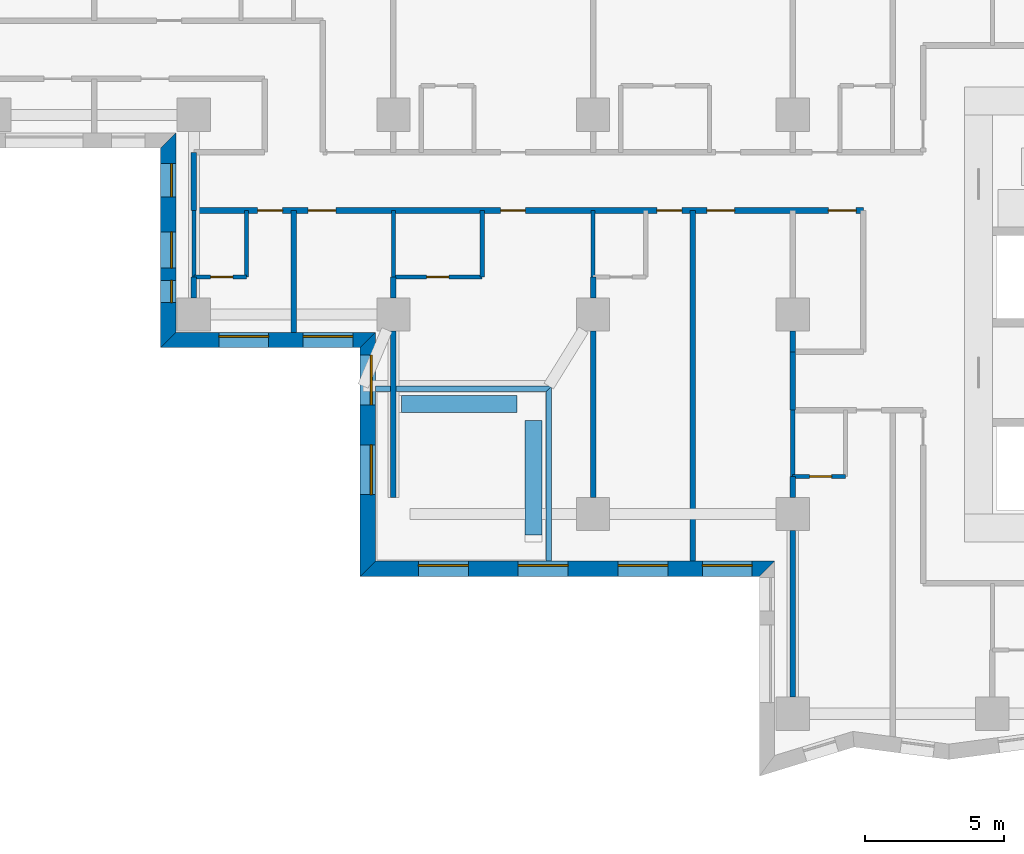
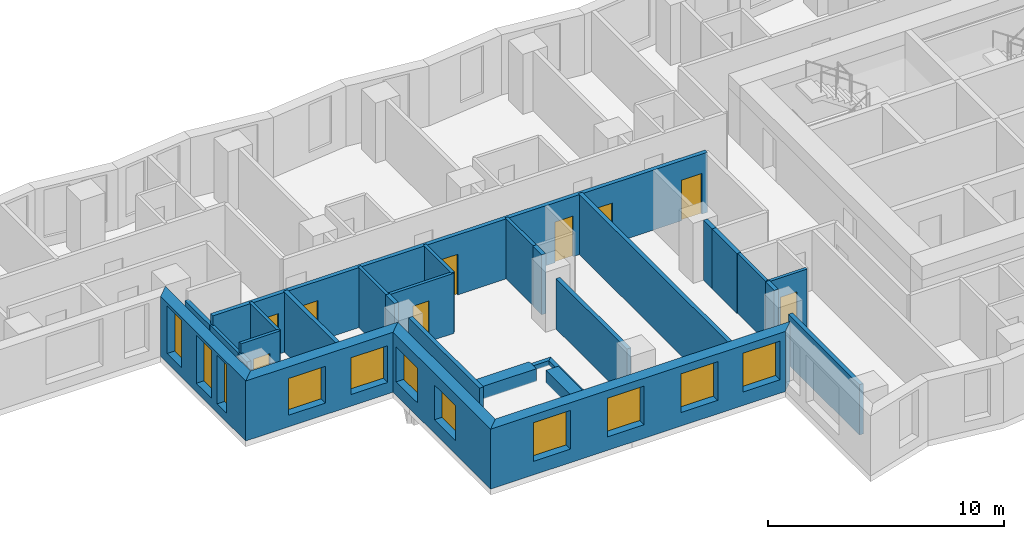
# One storey, part 3 of 14: 30 walls, 11 windows, 9 doors, 20 openings.
"""IFC4 building model written with IfcOpenShell, lengths in metres."""

from ifc_helpers import new_model, si_unit, direction, frame, frame_2d, origin, place, context, subcontext, project, spatial, polyline, rectangle, outline, extrude, material, layer, layer_set, type_object, element, fill, save


model = new_model("IFC4")

# Units and contexts
model_context = context("Model", 3, precision=1e-05, world=origin(), true_north=direction((0.0, 1.0)))
body_context = subcontext(model_context, "Body", "Model", "MODEL_VIEW")
ifc_project = project(units=[si_unit("LENGTHUNIT", "METRE"), si_unit("AREAUNIT", "SQUARE_METRE"), si_unit("VOLUMEUNIT", "CUBIC_METRE"), si_unit("PLANEANGLEUNIT", "RADIAN"), si_unit("MASSUNIT", "GRAM", prefix="KILO")], contexts=[model_context])

# Site, building, storey
site_placement = place(None, origin())
site = spatial("IfcSite", under=ifc_project, at=site_placement, CompositionType="ELEMENT")
building_placement = place(site_placement, origin())
building = spatial("IfcBuilding", under=site, at=building_placement, Name="Windrow Commons", CompositionType="ELEMENT")
storey_placement = place(building_placement, frame((0.0, 0.0, 44.0)))
storey = spatial("IfcBuildingStorey", under=building, at=storey_placement, Name="L11", CompositionType="ELEMENT", Elevation=44.0)

# Wall, openings, windows
ifc_material_1 = material(Name="Brick masonry, red clay brick", Category="masonry")
ifc_layer_1 = layer(ifc_material_1, 0.55)
ifc_layer_set_1 = layer_set([ifc_layer_1], Name="Brick facade wall 550")
wall_type_1 = type_object("IfcWallType", Name="Brick facade wall 550", PredefinedType="SOLIDWALL", material=ifc_layer_set_1)
wall_1_placement = place(storey_placement, frame((27.875, 63.875, 0.0), z_axis=(0.0, 0.0, 1.0), x_axis=(0.0, -1.0, 0.0)))
wall_1 = element("IfcWall", 1, at=wall_1_placement, inside=storey, type_object=wall_type_1, Name="Brick facade wall L11 41", PredefinedType="SOLIDWALL", context=body_context, shape_type="SweptSolid", body=[
    extrude(outline(polyline([(0.275, -0.275), (7.475, -0.275), (6.925, 0.275), (-0.275, 0.275), (0.275, -0.275)])), origin(), (0.0, 0.0, 1.0), 3.1),
])
opening_1_placement = place(wall_1_placement, frame((0.8375, 0.0, 0.5)))
opening_1 = element("IfcOpeningElement", 2, at=opening_1_placement, cuts=wall_1, Name="Opening W7D", PredefinedType="OPENING", context=body_context, shape_type="SweptSolid", body=[
    extrude(rectangle(XDim=1.2, YDim=2.45, at=frame_2d((0.6, 1.225))), frame((0.0, 0.285, 0.0), z_axis=(0.0, -1.0, 0.0), x_axis=(1.0, 0.0, 0.0)), (0.0, 0.0, 1.0), 0.57),
])
opening_2_placement = place(wall_1_placement, frame((3.3, 0.0, 0.45)))
opening_2 = element("IfcOpeningElement", 3, at=opening_2_placement, cuts=wall_1, Name="Opening W1Q", PredefinedType="OPENING", context=body_context, shape_type="SweptSolid", body=[
    extrude(rectangle(XDim=1.3, YDim=2.5, at=frame_2d((0.65, 1.25))), frame((0.0, 0.285, 0.0), z_axis=(0.0, -1.0, 0.0), x_axis=(1.0, 0.0, 0.0)), (0.0, 0.0, 1.0), 0.57),
])
opening_3_placement = place(wall_1_placement, frame((5.05, 0.0, 0.45)))
opening_3 = element("IfcOpeningElement", 4, at=opening_3_placement, cuts=wall_1, Name="Opening W1N", PredefinedType="OPENING", context=body_context, shape_type="SweptSolid", body=[
    extrude(rectangle(XDim=0.8, YDim=2.5, at=frame_2d((0.4, 1.25))), frame((0.0, 0.285, 0.0), z_axis=(0.0, -1.0, 0.0), x_axis=(1.0, 0.0, 0.0)), (0.0, 0.0, 1.0), 0.57),
])
ifc_material_2 = material(Name="Clear float glass in anodised aluminium frame", Category="aluminium")
window_type_1 = type_object("IfcWindowType", Name="Window W1N slit 800x2500", PartitioningType="SINGLE_PANEL", PredefinedType="WINDOW", material=ifc_material_2)
window_1_placement = place(opening_3_placement, origin())
window_1 = element("IfcWindow", 5, at=window_1_placement, inside=storey, type_object=window_type_1, Name="Window L11 41.1B", OverallHeight=2.5, OverallWidth=0.8, PartitioningType="SINGLE_PANEL", PredefinedType="WINDOW", context=body_context, shape_type="SweptSolid", body=[
    extrude(rectangle(XDim=0.8, YDim=2.5, at=frame_2d((0.4, 1.25))), frame((0.0, 0.155, 0.0), z_axis=(0.0, -1.0, 0.0), x_axis=(1.0, 0.0, 0.0)), (0.0, 0.0, 1.0), 0.06),
])
fill(opening_3, window_1)
ifc_material_3 = material(Name="Clear float glass in anodised aluminium frame", Category="aluminium")
window_type_2 = type_object("IfcWindowType", Name="Window W1Q pair 1300x2500", PartitioningType="SINGLE_PANEL", PredefinedType="WINDOW", material=ifc_material_3)
window_2_placement = place(opening_2_placement, origin())
window_2 = element("IfcWindow", 6, at=window_2_placement, inside=storey, type_object=window_type_2, Name="Window L11 41.1A", OverallHeight=2.5, OverallWidth=1.3, PartitioningType="SINGLE_PANEL", PredefinedType="WINDOW", context=body_context, shape_type="SweptSolid", body=[
    extrude(rectangle(XDim=1.3, YDim=2.5, at=frame_2d((0.65, 1.25))), frame((0.0, 0.155, 0.0), z_axis=(0.0, -1.0, 0.0), x_axis=(1.0, 0.0, 0.0)), (0.0, 0.0, 1.0), 0.06),
])
fill(opening_2, window_2)
ifc_material_4 = material(Name="Clear float glass in anodised aluminium frame", Category="aluminium")
window_type_3 = type_object("IfcWindowType", Name="Window W7 notch 1200x2450", PartitioningType="SINGLE_PANEL", PredefinedType="WINDOW", material=ifc_material_4)
window_3_placement = place(opening_1_placement, origin())
window_3 = element("IfcWindow", 7, at=window_3_placement, inside=storey, type_object=window_type_3, Name="Window L11 41.2", OverallHeight=2.45, OverallWidth=1.2, PartitioningType="SINGLE_PANEL", PredefinedType="WINDOW", context=body_context, shape_type="SweptSolid", body=[
    extrude(rectangle(XDim=1.2, YDim=2.45, at=frame_2d((0.6, 1.225))), frame((0.0, 0.155, 0.0), z_axis=(0.0, -1.0, 0.0), x_axis=(1.0, 0.0, 0.0)), (0.0, 0.0, 1.0), 0.06),
])
fill(opening_1, window_3)

wall_2_placement = place(storey_placement, frame((27.875, 56.675, 0.0), z_axis=(0.0, 0.0, 1.0), x_axis=(1.0, 0.0, 0.0)))
wall_2 = element("IfcWall", 8, at=wall_2_placement, inside=storey, type_object=wall_type_1, Name="Brick facade wall L11 42", PredefinedType="SOLIDWALL", context=body_context, shape_type="SweptSolid", body=[
    extrude(outline(polyline([(-0.275, -0.275), (6.925, -0.275), (7.475, 0.275), (0.275, 0.275), (-0.275, -0.275)])), origin(), (0.0, 0.0, 1.0), 3.1),
])
opening_4_placement = place(wall_2_placement, frame((1.825, 0.0, 0.6)))
opening_4 = element("IfcOpeningElement", 9, at=opening_4_placement, cuts=wall_2, Name="Opening W1L", PredefinedType="OPENING", context=body_context, shape_type="SweptSolid", body=[
    extrude(rectangle(XDim=1.8, YDim=1.9, at=frame_2d((0.9, 0.95))), frame((0.0, 0.285, 0.0), z_axis=(0.0, -1.0, 0.0), x_axis=(1.0, 0.0, 0.0)), (0.0, 0.0, 1.0), 0.57),
])
opening_5_placement = place(wall_2_placement, frame((4.8625, 0.0, 0.6)))
opening_5 = element("IfcOpeningElement", 10, at=opening_5_placement, cuts=wall_2, Name="Opening W1L", PredefinedType="OPENING", context=body_context, shape_type="SweptSolid", body=[
    extrude(rectangle(XDim=1.8, YDim=1.9, at=frame_2d((0.9, 0.95))), frame((0.0, 0.285, 0.0), z_axis=(0.0, -1.0, 0.0), x_axis=(1.0, 0.0, 0.0)), (0.0, 0.0, 1.0), 0.57),
])
ifc_material_5 = material(Name="Clear float glass in anodised aluminium frame", Category="aluminium")
window_type_4 = type_object("IfcWindowType", Name="Window W1L bedroom 1800x1900", PartitioningType="SINGLE_PANEL", PredefinedType="WINDOW", material=ifc_material_5)
window_4_placement = place(opening_4_placement, origin())
window_4 = element("IfcWindow", 11, at=window_4_placement, inside=storey, type_object=window_type_4, Name="Window L11 42.1", OverallHeight=1.9, OverallWidth=1.8, PartitioningType="SINGLE_PANEL", PredefinedType="WINDOW", context=body_context, shape_type="SweptSolid", body=[
    extrude(rectangle(XDim=1.8, YDim=1.9, at=frame_2d((0.9, 0.95))), frame((0.0, 0.155, 0.0), z_axis=(0.0, -1.0, 0.0), x_axis=(1.0, 0.0, 0.0)), (0.0, 0.0, 1.0), 0.06),
])
fill(opening_4, window_4)
window_5_placement = place(opening_5_placement, origin())
window_5 = element("IfcWindow", 12, at=window_5_placement, inside=storey, type_object=window_type_4, Name="Window L11 42.2", OverallHeight=1.9, OverallWidth=1.8, PartitioningType="SINGLE_PANEL", PredefinedType="WINDOW", context=body_context, shape_type="SweptSolid", body=[
    extrude(rectangle(XDim=1.8, YDim=1.9, at=frame_2d((0.9, 0.95))), frame((0.0, 0.155, 0.0), z_axis=(0.0, -1.0, 0.0), x_axis=(1.0, 0.0, 0.0)), (0.0, 0.0, 1.0), 0.06),
])
fill(opening_5, window_5)

wall_3_placement = place(storey_placement, frame((35.075, 56.675, 0.0), z_axis=(0.0, 0.0, 1.0), x_axis=(0.0, -1.0, 0.0)))
wall_3 = element("IfcWall", 13, at=wall_3_placement, inside=storey, type_object=wall_type_1, Name="Brick facade wall L11 43", PredefinedType="SOLIDWALL", context=body_context, shape_type="SweptSolid", body=[
    extrude(outline(polyline([(0.275, -0.275), (8.526, -0.275), (7.976, 0.275), (-0.275, 0.275), (0.275, -0.275)])), origin(), (0.0, 0.0, 1.0), 3.1),
])
opening_6_placement = place(wall_3_placement, frame((0.5375, 0.0, 0.7)))
opening_6 = element("IfcOpeningElement", 14, at=opening_6_placement, cuts=wall_3, Name="Opening W1M", PredefinedType="OPENING", context=body_context, shape_type="SweptSolid", body=[
    extrude(rectangle(XDim=1.8, YDim=1.8, at=frame_2d((0.9, 0.9))), frame((0.0, 0.285, 0.0), z_axis=(0.0, -1.0, 0.0), x_axis=(1.0, 0.0, 0.0)), (0.0, 0.0, 1.0), 0.57),
])
opening_7_placement = place(wall_3_placement, frame((3.775, 0.0, 0.7)))
opening_7 = element("IfcOpeningElement", 15, at=opening_7_placement, cuts=wall_3, Name="Opening W1M", PredefinedType="OPENING", context=body_context, shape_type="SweptSolid", body=[
    extrude(rectangle(XDim=1.8, YDim=1.8, at=frame_2d((0.9, 0.9))), frame((0.0, 0.285, 0.0), z_axis=(0.0, -1.0, 0.0), x_axis=(1.0, 0.0, 0.0)), (0.0, 0.0, 1.0), 0.57),
])
ifc_material_6 = material(Name="Clear float glass in anodised aluminium frame", Category="aluminium")
window_type_5 = type_object("IfcWindowType", Name="Window W1M bedroom 1800x1800", PartitioningType="SINGLE_PANEL", PredefinedType="WINDOW", material=ifc_material_6)
window_6_placement = place(opening_6_placement, origin())
window_6 = element("IfcWindow", 16, at=window_6_placement, inside=storey, type_object=window_type_5, Name="Window L11 43.1", OverallHeight=1.8, OverallWidth=1.8, PartitioningType="SINGLE_PANEL", PredefinedType="WINDOW", context=body_context, shape_type="SweptSolid", body=[
    extrude(rectangle(XDim=1.8, YDim=1.8, at=frame_2d((0.9, 0.9))), frame((0.0, 0.155, 0.0), z_axis=(0.0, -1.0, 0.0), x_axis=(1.0, 0.0, 0.0)), (0.0, 0.0, 1.0), 0.06),
])
fill(opening_6, window_6)
window_7_placement = place(opening_7_placement, origin())
window_7 = element("IfcWindow", 17, at=window_7_placement, inside=storey, type_object=window_type_5, Name="Window L11 43.2", OverallHeight=1.8, OverallWidth=1.8, PartitioningType="SINGLE_PANEL", PredefinedType="WINDOW", context=body_context, shape_type="SweptSolid", body=[
    extrude(rectangle(XDim=1.8, YDim=1.8, at=frame_2d((0.9, 0.9))), frame((0.0, 0.155, 0.0), z_axis=(0.0, -1.0, 0.0), x_axis=(1.0, 0.0, 0.0)), (0.0, 0.0, 1.0), 0.06),
])
fill(opening_7, window_7)

wall_4_placement = place(storey_placement, frame((35.075, 48.424, 0.0), z_axis=(0.0, 0.0, 1.0), x_axis=(1.0, 0.0, 0.0)))
wall_4 = element("IfcWall", 18, at=wall_4_placement, inside=storey, type_object=wall_type_1, Name="Brick facade wall L11 44", PredefinedType="SOLIDWALL", context=body_context, shape_type="SweptSolid", body=[
    extrude(outline(polyline([(-0.275, -0.275), (14.125, -0.275), (14.675, 0.275), (0.275, 0.275), (-0.275, -0.275)])), origin(), (0.0, 0.0, 1.0), 3.1),
])
opening_8_placement = place(wall_4_placement, frame((1.825, 0.0, 0.7)))
opening_8 = element("IfcOpeningElement", 19, at=opening_8_placement, cuts=wall_4, Name="Opening W1", PredefinedType="OPENING", context=body_context, shape_type="SweptSolid", body=[
    extrude(rectangle(XDim=1.8, YDim=2.0, at=frame_2d((0.9, 1.0))), frame((0.0, 0.285, 0.0), z_axis=(0.0, -1.0, 0.0), x_axis=(1.0, 0.0, 0.0)), (0.0, 0.0, 1.0), 0.57),
])
opening_9_placement = place(wall_4_placement, frame((5.425, 0.0, 0.7)))
opening_9 = element("IfcOpeningElement", 20, at=opening_9_placement, cuts=wall_4, Name="Opening W1", PredefinedType="OPENING", context=body_context, shape_type="SweptSolid", body=[
    extrude(rectangle(XDim=1.8, YDim=2.0, at=frame_2d((0.9, 1.0))), frame((0.0, 0.285, 0.0), z_axis=(0.0, -1.0, 0.0), x_axis=(1.0, 0.0, 0.0)), (0.0, 0.0, 1.0), 0.57),
])
opening_10_placement = place(wall_4_placement, frame((9.025, 0.0, 0.7)))
opening_10 = element("IfcOpeningElement", 21, at=opening_10_placement, cuts=wall_4, Name="Opening W1", PredefinedType="OPENING", context=body_context, shape_type="SweptSolid", body=[
    extrude(rectangle(XDim=1.8, YDim=2.0, at=frame_2d((0.9, 1.0))), frame((0.0, 0.285, 0.0), z_axis=(0.0, -1.0, 0.0), x_axis=(1.0, 0.0, 0.0)), (0.0, 0.0, 1.0), 0.57),
])
opening_11_placement = place(wall_4_placement, frame((12.0625, 0.0, 0.7)))
opening_11 = element("IfcOpeningElement", 22, at=opening_11_placement, cuts=wall_4, Name="Opening W1", PredefinedType="OPENING", context=body_context, shape_type="SweptSolid", body=[
    extrude(rectangle(XDim=1.8, YDim=2.0, at=frame_2d((0.9, 1.0))), frame((0.0, 0.285, 0.0), z_axis=(0.0, -1.0, 0.0), x_axis=(1.0, 0.0, 0.0)), (0.0, 0.0, 1.0), 0.57),
])
ifc_material_7 = material(Name="Clear float glass in anodised aluminium frame", Category="aluminium")
window_type_6 = type_object("IfcWindowType", Name="Window W1 bedroom 1800x2000", PartitioningType="SINGLE_PANEL", PredefinedType="WINDOW", material=ifc_material_7)
window_8_placement = place(opening_8_placement, origin())
window_8 = element("IfcWindow", 23, at=window_8_placement, inside=storey, type_object=window_type_6, Name="Window L11 44.1", OverallHeight=2.0, OverallWidth=1.8, PartitioningType="SINGLE_PANEL", PredefinedType="WINDOW", context=body_context, shape_type="SweptSolid", body=[
    extrude(rectangle(XDim=1.8, YDim=2.0, at=frame_2d((0.9, 1.0))), frame((0.0, 0.155, 0.0), z_axis=(0.0, -1.0, 0.0), x_axis=(1.0, 0.0, 0.0)), (0.0, 0.0, 1.0), 0.06),
])
fill(opening_8, window_8)
window_9_placement = place(opening_9_placement, origin())
window_9 = element("IfcWindow", 24, at=window_9_placement, inside=storey, type_object=window_type_6, Name="Window L11 44.2", OverallHeight=2.0, OverallWidth=1.8, PartitioningType="SINGLE_PANEL", PredefinedType="WINDOW", context=body_context, shape_type="SweptSolid", body=[
    extrude(rectangle(XDim=1.8, YDim=2.0, at=frame_2d((0.9, 1.0))), frame((0.0, 0.155, 0.0), z_axis=(0.0, -1.0, 0.0), x_axis=(1.0, 0.0, 0.0)), (0.0, 0.0, 1.0), 0.06),
])
fill(opening_9, window_9)
window_10_placement = place(opening_10_placement, origin())
window_10 = element("IfcWindow", 25, at=window_10_placement, inside=storey, type_object=window_type_6, Name="Window L11 44.3", OverallHeight=2.0, OverallWidth=1.8, PartitioningType="SINGLE_PANEL", PredefinedType="WINDOW", context=body_context, shape_type="SweptSolid", body=[
    extrude(rectangle(XDim=1.8, YDim=2.0, at=frame_2d((0.9, 1.0))), frame((0.0, 0.155, 0.0), z_axis=(0.0, -1.0, 0.0), x_axis=(1.0, 0.0, 0.0)), (0.0, 0.0, 1.0), 0.06),
])
fill(opening_10, window_10)
window_11_placement = place(opening_11_placement, origin())
window_11 = element("IfcWindow", 26, at=window_11_placement, inside=storey, type_object=window_type_6, Name="Window L11 44.4", OverallHeight=2.0, OverallWidth=1.8, PartitioningType="SINGLE_PANEL", PredefinedType="WINDOW", context=body_context, shape_type="SweptSolid", body=[
    extrude(rectangle(XDim=1.8, YDim=2.0, at=frame_2d((0.9, 1.0))), frame((0.0, 0.155, 0.0), z_axis=(0.0, -1.0, 0.0), x_axis=(1.0, 0.0, 0.0)), (0.0, 0.0, 1.0), 0.06),
])
fill(opening_11, window_11)

# Wall, openings, doors
ifc_material_8 = material(Name="Blockwork partition", Category="masonry")
ifc_layer_2 = layer(ifc_material_8, 0.2)
ifc_layer_set_2 = layer_set([ifc_layer_2], Name="IW-CORRIDOR-200")
wall_type_2 = type_object("IfcWallType", Name="IW-CORRIDOR-200", PredefinedType="PARTITIONING", material=ifc_layer_set_2)
wall_5_placement = place(storey_placement, frame((28.8, 61.35, 0.0), z_axis=(0.0, 0.0, 1.0), x_axis=(1.0, 0.0, 0.0)))
wall_5 = element("IfcWall", 27, at=wall_5_placement, inside=storey, type_object=wall_type_2, Name="W-L11-W000", PredefinedType="PARTITIONING", context=body_context, shape_type="SweptSolid", body=[
    extrude(rectangle(XDim=24.15, YDim=0.2, at=frame_2d((12.075, 0.0))), origin(), (0.0, 0.0, 1.0), 3.1),
])
opening_12_placement = place(wall_5_placement, frame((2.3, 0.0, 0.0)))
opening_12 = element("IfcOpeningElement", 28, at=opening_12_placement, cuts=wall_5, Name="Opening D109S", PredefinedType="OPENING", context=body_context, shape_type="SweptSolid", body=[
    extrude(rectangle(XDim=0.9, YDim=2.1, at=frame_2d((0.45, 1.05))), frame((0.0, 0.11, 0.0), z_axis=(0.0, -1.0, 0.0), x_axis=(1.0, 0.0, 0.0)), (0.0, 0.0, 1.0), 0.22),
])
opening_13_placement = place(wall_5_placement, frame((4.125, 0.0, 0.0)))
opening_13 = element("IfcOpeningElement", 29, at=opening_13_placement, cuts=wall_5, Name="Opening D310F", PredefinedType="OPENING", context=body_context, shape_type="SweptSolid", body=[
    extrude(rectangle(XDim=1.0, YDim=2.1, at=frame_2d((0.5, 1.05))), frame((0.0, 0.11, 0.0), z_axis=(0.0, -1.0, 0.0), x_axis=(1.0, 0.0, 0.0)), (0.0, 0.0, 1.0), 0.22),
])
opening_14_placement = place(wall_5_placement, frame((11.0607, 0.0, 0.0)))
opening_14 = element("IfcOpeningElement", 30, at=opening_14_placement, cuts=wall_5, Name="Opening D109F", PredefinedType="OPENING", context=body_context, shape_type="SweptSolid", body=[
    extrude(rectangle(XDim=0.9, YDim=2.1, at=frame_2d((0.45, 1.05))), frame((0.0, 0.11, 0.0), z_axis=(0.0, -1.0, 0.0), x_axis=(1.0, 0.0, 0.0)), (0.0, 0.0, 1.0), 0.22),
])
opening_15_placement = place(wall_5_placement, frame((16.7, 0.0, 0.0)))
opening_15 = element("IfcOpeningElement", 31, at=opening_15_placement, cuts=wall_5, Name="Opening D109S", PredefinedType="OPENING", context=body_context, shape_type="SweptSolid", body=[
    extrude(rectangle(XDim=0.9, YDim=2.1, at=frame_2d((0.45, 1.05))), frame((0.0, 0.11, 0.0), z_axis=(0.0, -1.0, 0.0), x_axis=(1.0, 0.0, 0.0)), (0.0, 0.0, 1.0), 0.22),
])
opening_16_placement = place(wall_5_placement, frame((18.5075, 0.0, 0.0)))
opening_16 = element("IfcOpeningElement", 32, at=opening_16_placement, cuts=wall_5, Name="Opening D310F", PredefinedType="OPENING", context=body_context, shape_type="SweptSolid", body=[
    extrude(rectangle(XDim=1.0, YDim=2.1, at=frame_2d((0.5, 1.05))), frame((0.0, 0.11, 0.0), z_axis=(0.0, -1.0, 0.0), x_axis=(1.0, 0.0, 0.0)), (0.0, 0.0, 1.0), 0.22),
])
opening_17_placement = place(wall_5_placement, frame((22.8824, 0.0, 0.0)))
opening_17 = element("IfcOpeningElement", 33, at=opening_17_placement, cuts=wall_5, Name="Opening D310F", PredefinedType="OPENING", context=body_context, shape_type="SweptSolid", body=[
    extrude(rectangle(XDim=1.0, YDim=2.1, at=frame_2d((0.5, 1.05))), frame((0.0, 0.11, 0.0), z_axis=(0.0, -1.0, 0.0), x_axis=(1.0, 0.0, 0.0)), (0.0, 0.0, 1.0), 0.22),
])
ifc_material_9 = material(Name="Timber door leaf", Category="wood")
door_type_1 = type_object("IfcDoorType", Name="DT-AMENITY-1000", OperationType="SINGLE_SWING_LEFT", PredefinedType="DOOR", material=ifc_material_9)
door_1_placement = place(opening_13_placement, origin())
door_1 = element("IfcDoor", 34, at=door_1_placement, inside=storey, type_object=door_type_1, Name="D-L11-D007", OperationType="SINGLE_SWING_RIGHT", OverallHeight=2.1, OverallWidth=1.0, PredefinedType="DOOR", context=body_context, shape_type="SweptSolid", body=[
    extrude(rectangle(XDim=1.0, YDim=2.1, at=frame_2d((0.5, 1.05))), frame((0.0, 0.025, 0.0), z_axis=(0.0, -1.0, 0.0), x_axis=(1.0, 0.0, 0.0)), (0.0, 0.0, 1.0), 0.05),
])
fill(opening_13, door_1)
door_2_placement = place(opening_16_placement, origin())
door_2 = element("IfcDoor", 35, at=door_2_placement, inside=storey, type_object=door_type_1, Name="D-L11-D023", OperationType="SINGLE_SWING_RIGHT", OverallHeight=2.1, OverallWidth=1.0, PredefinedType="DOOR", context=body_context, shape_type="SweptSolid", body=[
    extrude(rectangle(XDim=1.0, YDim=2.1, at=frame_2d((0.5, 1.05))), frame((0.0, 0.025, 0.0), z_axis=(0.0, -1.0, 0.0), x_axis=(1.0, 0.0, 0.0)), (0.0, 0.0, 1.0), 0.05),
])
fill(opening_16, door_2)
door_3_placement = place(opening_17_placement, origin())
door_3 = element("IfcDoor", 36, at=door_3_placement, inside=storey, type_object=door_type_1, Name="D-L11-D024", OperationType="SINGLE_SWING_LEFT", OverallHeight=2.1, OverallWidth=1.0, PredefinedType="DOOR", context=body_context, shape_type="SweptSolid", body=[
    extrude(rectangle(XDim=1.0, YDim=2.1, at=frame_2d((0.5, 1.05))), frame((0.0, 0.025, 0.0), z_axis=(0.0, -1.0, 0.0), x_axis=(1.0, 0.0, 0.0)), (0.0, 0.0, 1.0), 0.05),
])
fill(opening_17, door_3)
ifc_material_10 = material(Name="Timber door leaf", Category="wood")
door_type_2 = type_object("IfcDoorType", Name="DT-BEDROOM-900", OperationType="SINGLE_SWING_LEFT", PredefinedType="DOOR", material=ifc_material_10)
door_4_placement = place(opening_12_placement, origin())
door_4 = element("IfcDoor", 37, at=door_4_placement, inside=storey, type_object=door_type_2, Name="D-L11-D005", OperationType="SINGLE_SWING_LEFT", OverallHeight=2.1, OverallWidth=0.9, PredefinedType="DOOR", context=body_context, shape_type="SweptSolid", body=[
    extrude(rectangle(XDim=0.9, YDim=2.1, at=frame_2d((0.45, 1.05))), frame((0.0, 0.025, 0.0), z_axis=(0.0, -1.0, 0.0), x_axis=(1.0, 0.0, 0.0)), (0.0, 0.0, 1.0), 0.05),
])
fill(opening_12, door_4)
door_5_placement = place(opening_14_placement, origin())
door_5 = element("IfcDoor", 38, at=door_5_placement, inside=storey, type_object=door_type_2, Name="D-L11-D008", OperationType="SINGLE_SWING_LEFT", OverallHeight=2.1, OverallWidth=0.9, PredefinedType="DOOR", context=body_context, shape_type="SweptSolid", body=[
    extrude(rectangle(XDim=0.9, YDim=2.1, at=frame_2d((0.45, 1.05))), frame((0.0, 0.025, 0.0), z_axis=(0.0, -1.0, 0.0), x_axis=(1.0, 0.0, 0.0)), (0.0, 0.0, 1.0), 0.05),
])
fill(opening_14, door_5)
door_6_placement = place(opening_15_placement, origin())
door_6 = element("IfcDoor", 39, at=door_6_placement, inside=storey, type_object=door_type_2, Name="D-L11-D010", OperationType="SINGLE_SWING_LEFT", OverallHeight=2.1, OverallWidth=0.9, PredefinedType="DOOR", context=body_context, shape_type="SweptSolid", body=[
    extrude(rectangle(XDim=0.9, YDim=2.1, at=frame_2d((0.45, 1.05))), frame((0.0, 0.025, 0.0), z_axis=(0.0, -1.0, 0.0), x_axis=(1.0, 0.0, 0.0)), (0.0, 0.0, 1.0), 0.05),
])
fill(opening_15, door_6)

# Walls
wall_6_placement = place(storey_placement, frame((28.8, 61.35, 0.0), z_axis=(0.0, 0.0, 1.0), x_axis=(0.0, 1.0, 0.0)))
element("IfcWall", 40, at=wall_6_placement, inside=storey, type_object=wall_type_2, Name="W-L11-W116", PredefinedType="PARTITIONING", context=body_context, shape_type="SweptSolid", body=[
    extrude(rectangle(XDim=2.1, YDim=0.2, at=frame_2d((1.05, 0.0))), origin(), (0.0, 0.0, 1.0), 2.6),
])
wall_7_placement = place(storey_placement, frame((50.4, 54.15, 0.0), z_axis=(0.0, 0.0, 1.0), x_axis=(0.0, 1.0, 0.0)))
element("IfcWall", 41, at=wall_7_placement, inside=storey, type_object=wall_type_2, Name="W-L11-W117", PredefinedType="PARTITIONING", context=body_context, shape_type="SweptSolid", body=[
    extrude(rectangle(XDim=2.1, YDim=0.2, at=frame_2d((1.05, 0.0))), origin(), (0.0, 0.0, 1.0), 3.1),
])

# Wall, opening, door
ifc_material_11 = material(Name="Blockwork partition", Category="masonry")
ifc_layer_3 = layer(ifc_material_11, 0.15)
ifc_layer_set_3 = layer_set([ifc_layer_3], Name="IW-ENSUITE-150")
wall_type_3 = type_object("IfcWallType", Name="IW-ENSUITE-150", PredefinedType="PARTITIONING", material=ifc_layer_set_3)
wall_8_placement = place(storey_placement, frame((36.0, 58.95, 0.0), z_axis=(0.0, 0.0, 1.0), x_axis=(1.0, 0.0, 0.0)))
wall_8 = element("IfcWall", 42, at=wall_8_placement, inside=storey, type_object=wall_type_3, Name="W-L11-W060", PredefinedType="PARTITIONING", context=body_context, shape_type="SweptSolid", body=[
    extrude(rectangle(XDim=3.2, YDim=0.15, at=frame_2d((1.6, 0.0))), origin(), (0.0, 0.0, 1.0), 3.1),
])
opening_18_placement = place(wall_8_placement, frame((1.1958, 0.0, 0.0)))
opening_18 = element("IfcOpeningElement", 43, at=opening_18_placement, cuts=wall_8, Name="Opening D208N", PredefinedType="OPENING", context=body_context, shape_type="SweptSolid", body=[
    extrude(rectangle(XDim=0.8, YDim=2.1, at=frame_2d((0.4, 1.05))), frame((0.0, 0.085, 0.0), z_axis=(0.0, -1.0, 0.0), x_axis=(1.0, 0.0, 0.0)), (0.0, 0.0, 1.0), 0.17),
])
ifc_material_12 = material(Name="Timber door leaf", Category="wood")
door_type_3 = type_object("IfcDoorType", Name="DT-ENSUITE-800", OperationType="SINGLE_SWING_LEFT", PredefinedType="DOOR", material=ifc_material_12)
door_7_placement = place(opening_18_placement, origin())
door_7 = element("IfcDoor", 44, at=door_7_placement, inside=storey, type_object=door_type_3, Name="D-L11-D009", OperationType="SINGLE_SWING_RIGHT", OverallHeight=2.1, OverallWidth=0.8, PredefinedType="DOOR", context=body_context, shape_type="SweptSolid", body=[
    extrude(rectangle(XDim=0.8, YDim=2.1, at=frame_2d((0.4, 1.05))), frame((0.0, 0.025, 0.0), z_axis=(0.0, -1.0, 0.0), x_axis=(1.0, 0.0, 0.0)), (0.0, 0.0, 1.0), 0.05),
])
fill(opening_18, door_7)

# Walls
wall_9_placement = place(storey_placement, frame((30.7, 58.95, 0.0), z_axis=(0.0, 0.0, 1.0), x_axis=(0.0, 1.0, 0.0)))
element("IfcWall", 45, at=wall_9_placement, inside=storey, type_object=wall_type_3, Name="W-L11-W080", PredefinedType="PARTITIONING", context=body_context, shape_type="SweptSolid", body=[
    extrude(rectangle(XDim=2.4, YDim=0.15, at=frame_2d((1.2, 0.0))), origin(), (0.0, 0.0, 1.0), 3.1),
])
wall_10_placement = place(storey_placement, frame((28.8, 58.95, 0.0), z_axis=(0.0, 0.0, 1.0), x_axis=(0.0, 1.0, 0.0)))
element("IfcWall", 46, at=wall_10_placement, inside=storey, type_object=wall_type_3, Name="W-L11-W081", PredefinedType="PARTITIONING", context=body_context, shape_type="SweptSolid", body=[
    extrude(rectangle(XDim=2.4, YDim=0.15, at=frame_2d((1.2, 0.0))), origin(), (0.0, 0.0, 1.0), 2.6),
])
for number, where, z_axis, x_axis, name in (
    (47, (39.2, 58.95, 0.0), (0.0, 0.0, 1.0), (0.0, 1.0, 0.0), "W-L11-W082"),
    (48, (36.0, 58.95, 0.0), (0.0, 0.0, 1.0), (0.0, 1.0, 0.0), "W-L11-W083"),
    (49, (43.2, 58.95, 0.0), (0.0, 0.0, 1.0), (0.0, 1.0, 0.0), "W-L11-W085"),
    (50, (50.4, 51.75, 0.0), (0.0, 0.0, 1.0), (0.0, 1.0, 0.0), "W-L11-W087"),
):
    element("IfcWall", number, at=place(storey_placement, frame(where, z_axis=z_axis, x_axis=x_axis)), inside=storey, type_object=wall_type_3, Name=name, PredefinedType="PARTITIONING", context=body_context, shape_type="SweptSolid", body=[
        extrude(rectangle(XDim=2.4, YDim=0.15, at=frame_2d((1.2, 0.0))), origin(), (0.0, 0.0, 1.0), 3.1),
    ])

# Wall, opening, door
wall_11_placement = place(storey_placement, frame((28.8, 58.95, 0.0), z_axis=(0.0, 0.0, 1.0), x_axis=(1.0, 0.0, 0.0)))
wall_11 = element("IfcWall", 51, at=wall_11_placement, inside=storey, type_object=wall_type_3, Name="W-L11-W129", PredefinedType="PARTITIONING", context=body_context, shape_type="SweptSolid", body=[
    extrude(rectangle(XDim=1.9, YDim=0.15, at=frame_2d((0.95, 0.0))), origin(), (0.0, 0.0, 1.0), 3.1),
])
opening_19_placement = place(wall_11_placement, frame((0.6069, 0.0, 0.0)))
opening_19 = element("IfcOpeningElement", 52, at=opening_19_placement, cuts=wall_11, Name="Opening D208N", PredefinedType="OPENING", context=body_context, shape_type="SweptSolid", body=[
    extrude(rectangle(XDim=0.8, YDim=2.1, at=frame_2d((0.4, 1.05))), frame((0.0, 0.085, 0.0), z_axis=(0.0, -1.0, 0.0), x_axis=(1.0, 0.0, 0.0)), (0.0, 0.0, 1.0), 0.17),
])
door_8_placement = place(opening_19_placement, origin())
door_8 = element("IfcDoor", 53, at=door_8_placement, inside=storey, type_object=door_type_3, Name="D-L11-D006", OperationType="SINGLE_SWING_RIGHT", OverallHeight=2.1, OverallWidth=0.8, PredefinedType="DOOR", context=body_context, shape_type="SweptSolid", body=[
    extrude(rectangle(XDim=0.8, YDim=2.1, at=frame_2d((0.4, 1.05))), frame((0.0, 0.025, 0.0), z_axis=(0.0, -1.0, 0.0), x_axis=(1.0, 0.0, 0.0)), (0.0, 0.0, 1.0), 0.05),
])
fill(opening_19, door_8)

wall_12_placement = place(storey_placement, frame((50.4, 51.75, 0.0), z_axis=(0.0, 0.0, 1.0), x_axis=(1.0, 0.0, 0.0)))
wall_12 = element("IfcWall", 54, at=wall_12_placement, inside=storey, type_object=wall_type_3, Name="W-L11-W134", PredefinedType="PARTITIONING", context=body_context, shape_type="SweptSolid", body=[
    extrude(rectangle(XDim=1.9, YDim=0.15, at=frame_2d((0.95, 0.0))), origin(), (0.0, 0.0, 1.0), 3.1),
])
opening_20_placement = place(wall_12_placement, frame((0.6069, 0.0, 0.0)))
opening_20 = element("IfcOpeningElement", 55, at=opening_20_placement, cuts=wall_12, Name="Opening D208N", PredefinedType="OPENING", context=body_context, shape_type="SweptSolid", body=[
    extrude(rectangle(XDim=0.8, YDim=2.1, at=frame_2d((0.4, 1.05))), frame((0.0, 0.085, 0.0), z_axis=(0.0, -1.0, 0.0), x_axis=(1.0, 0.0, 0.0)), (0.0, 0.0, 1.0), 0.17),
])
door_9_placement = place(opening_20_placement, origin())
door_9 = element("IfcDoor", 56, at=door_9_placement, inside=storey, type_object=door_type_3, Name="D-L11-D026", OperationType="SINGLE_SWING_RIGHT", OverallHeight=2.1, OverallWidth=0.8, PredefinedType="DOOR", context=body_context, shape_type="SweptSolid", body=[
    extrude(rectangle(XDim=0.8, YDim=2.1, at=frame_2d((0.4, 1.05))), frame((0.0, 0.025, 0.0), z_axis=(0.0, -1.0, 0.0), x_axis=(1.0, 0.0, 0.0)), (0.0, 0.0, 1.0), 0.05),
])
fill(opening_20, door_9)

# Walls
ifc_material_13 = material(Name="Blockwork partition", Category="masonry")
ifc_layer_4 = layer(ifc_material_13, 0.2)
ifc_layer_set_4 = layer_set([ifc_layer_4], Name="IW-PARTY-200")
wall_type_4 = type_object("IfcWallType", Name="IW-PARTY-200", PredefinedType="PARTITIONING", material=ifc_layer_set_4)
wall_13_placement = place(storey_placement, frame((46.8, 48.699, 0.0), z_axis=(0.0, 0.0, 1.0), x_axis=(0.0, 1.0, 0.0)))
element("IfcWall", 57, at=wall_13_placement, inside=storey, type_object=wall_type_4, Name="W-L11-W004", PredefinedType="PARTITIONING", context=body_context, shape_type="SweptSolid", body=[
    extrude(rectangle(XDim=12.651, YDim=0.2, at=frame_2d((6.3255, 0.0))), origin(), (0.0, 0.0, 1.0), 3.1),
])
wall_14_placement = place(storey_placement, frame((36.0, 51.0, 0.0), z_axis=(0.0, 0.0, 1.0), x_axis=(0.0, 1.0, 0.0)))
element("IfcWall", 58, at=wall_14_placement, inside=storey, type_object=wall_type_4, Name="W-L11-W024", PredefinedType="PARTITIONING", context=body_context, shape_type="SweptSolid", body=[
    extrude(rectangle(XDim=6.0, YDim=0.2, at=frame_2d((3.0, 0.0))), origin(), (0.0, 0.0, 1.0), 3.1),
])
for number, where, z_axis, x_axis, name in (
    (59, (43.2, 51.0, 0.0), (0.0, 0.0, 1.0), (0.0, 1.0, 0.0), "W-L11-W026"),
    (60, (50.4, 43.8, 0.0), (0.0, 0.0, 1.0), (0.0, 1.0, 0.0), "W-L11-W028"),
):
    element("IfcWall", number, at=place(storey_placement, frame(where, z_axis=z_axis, x_axis=x_axis)), inside=storey, type_object=wall_type_4, Name=name, PredefinedType="PARTITIONING", context=body_context, shape_type="SweptSolid", body=[
        extrude(rectangle(XDim=6.0, YDim=0.2, at=frame_2d((3.0, 0.0))), origin(), (0.0, 0.0, 1.0), 2.6),
    ])
wall_15_placement = place(storey_placement, frame((32.4, 56.95, 0.0), z_axis=(0.0, 0.0, 1.0), x_axis=(0.0, 1.0, 0.0)))
element("IfcWall", 61, at=wall_15_placement, inside=storey, type_object=wall_type_4, Name="W-L11-W046", PredefinedType="PARTITIONING", context=body_context, shape_type="SweptSolid", body=[
    extrude(rectangle(XDim=4.4, YDim=0.2, at=frame_2d((2.2, 0.0))), origin(), (0.0, 0.0, 1.0), 3.1),
])
wall_16_placement = place(storey_placement, frame((28.8, 58.2, 0.0), z_axis=(0.0, 0.0, 1.0), x_axis=(0.0, 1.0, 0.0)))
element("IfcWall", 62, at=wall_16_placement, inside=storey, type_object=wall_type_4, Name="W-L11-W156", PredefinedType="PARTITIONING", context=body_context, shape_type="SweptSolid", body=[
    extrude(rectangle(XDim=0.75, YDim=0.2, at=frame_2d((0.375, 0.0))), origin(), (0.0, 0.0, 1.0), 2.6),
])
for number, where, z_axis, x_axis, name in (
    (63, (36.0, 58.2, 0.0), (0.0, 0.0, 1.0), (0.0, 1.0, 0.0), "W-L11-W157"),
    (64, (43.2, 58.2, 0.0), (0.0, 0.0, 1.0), (0.0, 1.0, 0.0), "W-L11-W159"),
    (65, (50.4, 51.0, 0.0), (0.0, 0.0, 1.0), (0.0, 1.0, 0.0), "W-L11-W161"),
    (66, (50.4, 56.25, 0.0), (0.0, 0.0, 1.0), (0.0, 1.0, 0.0), "W-L11-W162"),
):
    element("IfcWall", number, at=place(storey_placement, frame(where, z_axis=z_axis, x_axis=x_axis)), inside=storey, type_object=wall_type_4, Name=name, PredefinedType="PARTITIONING", context=body_context, shape_type="SweptSolid", body=[
        extrude(rectangle(XDim=0.75, YDim=0.2, at=frame_2d((0.375, 0.0))), origin(), (0.0, 0.0, 1.0), 3.1),
    ])
ifc_material_14 = material(Name="Concrete C30/37 planter wall", Category="concrete")
ifc_layer_5 = layer(ifc_material_14, 0.6)
ifc_layer_set_5 = layer_set([ifc_layer_5], Name="Planter 600x450")
wall_type_5 = type_object("IfcWallType", Name="Planter 600x450", PredefinedType="SOLIDWALL", material=ifc_layer_set_5)
wall_17_placement = place(storey_placement, frame((41.05, 49.644, 0.0), z_axis=(0.0, 0.0, 1.0), x_axis=(0.0, 1.0, 0.0)))
element("IfcWall", 67, at=wall_17_placement, inside=storey, type_object=wall_type_5, Name="PLANTER TR-L11-1.1", PredefinedType="SOLIDWALL", context=body_context, shape_type="SweptSolid", body=[
    extrude(outline(polyline([(0.0, -0.3), (4.124, -0.3), (4.124, 0.3), (0.0, 0.3), (0.0, -0.3)])), origin(), (0.0, 0.0, 1.0), 0.65),
])
wall_18_placement = place(storey_placement, frame((40.45, 54.368, 0.0), z_axis=(0.0, 0.0, 1.0), x_axis=(-1.0, 0.0, 0.0)))
element("IfcWall", 68, at=wall_18_placement, inside=storey, type_object=wall_type_5, Name="PLANTER TR-L11-1.2", PredefinedType="SOLIDWALL", context=body_context, shape_type="SweptSolid", body=[
    extrude(outline(polyline([(0.0, -0.3), (4.155, -0.3), (4.155, 0.3), (0.0, 0.3), (0.0, -0.3)])), origin(), (0.0, 0.0, 1.0), 0.65),
])
ifc_material_15 = material(Name="Brick masonry, red clay brick", Category="masonry")
ifc_layer_6 = layer(ifc_material_15, 0.2)
ifc_layer_set_6 = layer_set([ifc_layer_6], Name="Terrace edge parapet 200")
wall_type_6 = type_object("IfcWallType", Name="Terrace edge parapet 200", PredefinedType="PARAPET", material=ifc_layer_set_6)
wall_19_placement = place(storey_placement, frame((41.6, 48.699, 0.0), z_axis=(0.0, 0.0, 1.0), x_axis=(0.0, 1.0, 0.0)))
element("IfcWall", 69, at=wall_19_placement, inside=storey, type_object=wall_type_6, Name="Terrace parapet TR-L11-1.1.1", PredefinedType="PARAPET", context=body_context, shape_type="SweptSolid", body=[
    extrude(outline(polyline([(0.0, -0.1), (6.319, -0.1), (6.119, 0.1), (0.0, 0.1), (0.0, -0.1)])), origin(), (0.0, 0.0, 1.0), 0.25),
])
wall_20_placement = place(storey_placement, frame((41.6, 54.918, 0.0), z_axis=(0.0, 0.0, 1.0), x_axis=(-1.0, 0.0, 0.0)))
element("IfcWall", 70, at=wall_20_placement, inside=storey, type_object=wall_type_6, Name="Terrace parapet TR-L11-1.1.2", PredefinedType="PARAPET", context=body_context, shape_type="SweptSolid", body=[
    extrude(outline(polyline([(-0.1, -0.1), (6.25, -0.1), (6.25, 0.1), (0.1, 0.1), (-0.1, -0.1)])), origin(), (0.0, 0.0, 1.0), 0.25),
])

save(model, "model.ifc")
